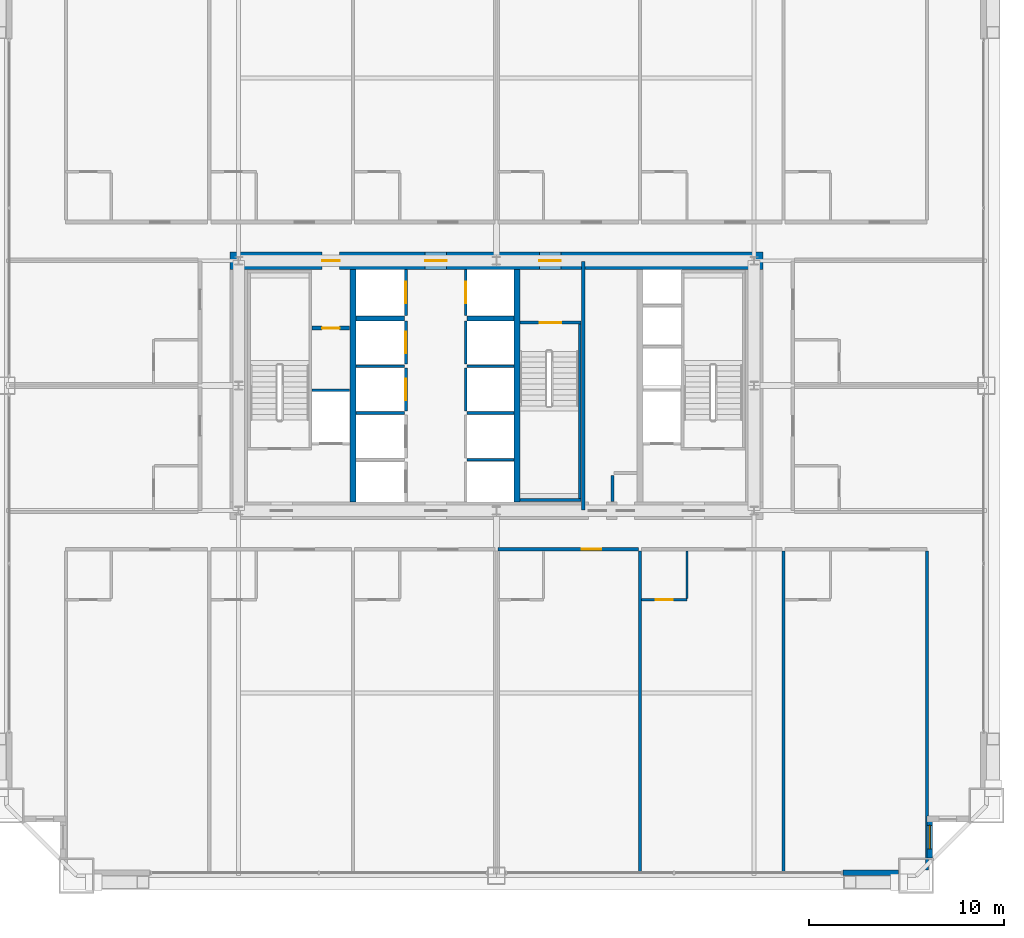
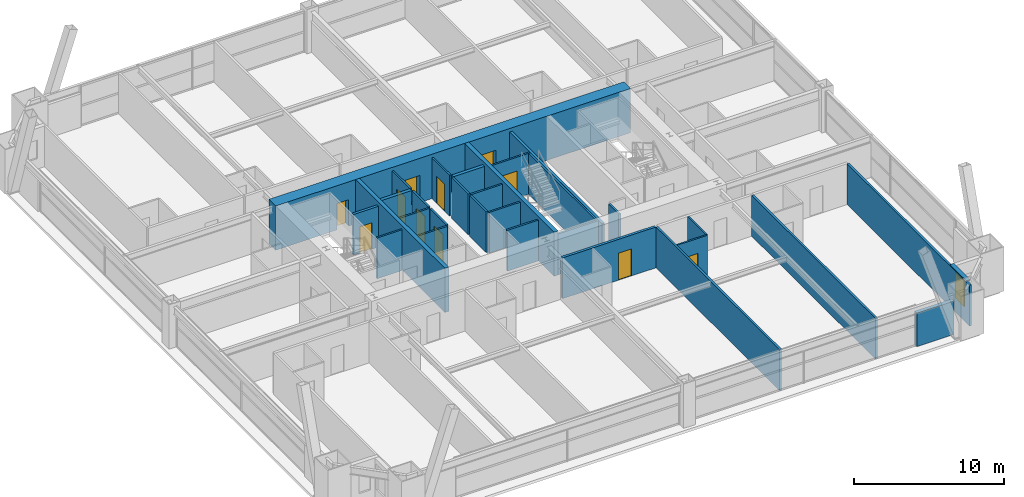
# One storey, part 40 of 43: 31 walls, 11 doors, 1 window, 12 openings.
"""IFC4 building model written with IfcOpenShell, lengths in metres."""

from ifc_helpers import new_model, si_unit, direction, frame, frame_2d, origin, place, context, subcontext, project, spatial, rectangle, extrude, source, transform, mapped, material, layer, layer_set, type_object, element, fill, save


model = new_model("IFC4")

# Units and contexts
model_context = context("Model", 3, precision=1e-05, world=origin(), true_north=direction((0.0, 1.0)))
body_context = subcontext(model_context, "Body", "Model", "MODEL_VIEW")
ifc_project = project(units=[si_unit("LENGTHUNIT", "METRE"), si_unit("AREAUNIT", "SQUARE_METRE"), si_unit("VOLUMEUNIT", "CUBIC_METRE"), si_unit("PLANEANGLEUNIT", "RADIAN"), si_unit("MASSUNIT", "GRAM", prefix="KILO"), si_unit("THERMODYNAMICTEMPERATUREUNIT", "KELVIN"), si_unit("POWERUNIT", "WATT")], contexts=[model_context])

# Site, building, storey
site_placement = place(None, origin())
site = spatial("IfcSite", under=ifc_project, at=site_placement, CompositionType="ELEMENT")
building_placement = place(site_placement, origin())
building = spatial("IfcBuilding", under=site, at=building_placement, Name="Yuzanri Waterfront Tower", CompositionType="ELEMENT")
storey_placement = place(building_placement, frame((0.0, 0.0, 37.800048828125)))
storey = spatial("IfcBuildingStorey", under=building, at=storey_placement, Name="L09", CompositionType="ELEMENT", Elevation=37.800048828125)

# Wall, opening, door
ifc_material_1 = material(Name="Moisture-Resistant Gypsum Stud Wall", Category="gypsum")
ifc_layer_1 = layer(ifc_material_1, 0.1201171875)
ifc_layer_set_1 = layer_set([ifc_layer_1], Name="Moisture-Resistant Gypsum Stud Wall")
wall_type_1 = type_object("IfcWallType", Name="Bathroom and Kitchen Wet Partition 120", PredefinedType="PARTITIONING", material=ifc_layer_set_1)
wall_1_placement = place(storey_placement, frame((44.43310546875, 14.840087890625, 0.0), z_axis=(0.0, 0.0, 1.0), x_axis=(1.0, 0.0, 0.0)))
wall_1 = element("IfcWall", 1, at=wall_1_placement, inside=storey, type_object=wall_type_1, Name="L09 Partition UW-L09-S5-BS", PredefinedType="PARTITIONING", context=body_context, shape_type="SweptSolid", body=[
    extrude(rectangle(XDim=2.329833984375, YDim=0.1201171875, at=frame_2d((1.1650390625, 0.0))), origin(), (0.0, 0.0, 1.0), 3.320068359375),
])
opening_1_placement = place(wall_1_placement, frame((0.739990234375, 0.0, 0.0)))
opening_1 = element("IfcOpeningElement", 2, at=opening_1_placement, cuts=wall_1, Name="Opening ID-0850", PredefinedType="OPENING", context=body_context, shape_type="SweptSolid", body=[
    extrude(rectangle(XDim=0.85009765625, YDim=2.10009765625, at=frame_2d((0.425048828125, 1.050048828125))), frame((0.0, 0.074951171875, 0.0), z_axis=(0.0, -1.0, 0.0), x_axis=(1.0, 0.0, 0.0)), (0.0, 0.0, 1.0), 0.14990234375),
])
ifc_material_2 = material(Name="Moisture-Resistant Lacquered Timber", Category="wood")
door_type_1 = type_object("IfcDoorType", Name="En-Suite Bathroom and Kitchen Swing Door 850x2100", OperationType="NOTDEFINED", PredefinedType="DOOR", material=ifc_material_2)
shared_shape_1 = source(origin(), body_context, "Body", "SweptSolid", [
    extrude(rectangle(XDim=0.85009765625, YDim=2.10009765625, at=frame_2d((0.425048828125, 1.050048828125))), frame((0.0, 0.02490234375, 0.0), z_axis=(0.0, -1.0, 0.0), x_axis=(1.0, 0.0, 0.0)), (0.0, 0.0, 1.0), 0.050048828125),
])
door_1_placement = place(opening_1_placement, origin())
door_1 = element("IfcDoor", 3, at=door_1_placement, inside=storey, type_object=door_type_1, Name="L09 Guest En-Suite Door", OperationType="SINGLE_SWING_LEFT", OverallHeight=2.10009765625, OverallWidth=0.85009765625, PredefinedType="DOOR", context=body_context, shape_type="MappedRepresentation", body=[
    mapped(shared_shape_1, transform((0.0, 0.0, 0.0), scale=1.0)),
])
fill(opening_1, door_1)

# Wall, opening, window
ifc_material_3 = material(Name="Honed Chongqing Dark Basalt Stone", Category="masonry")
ifc_layer_2 = layer(ifc_material_3, 0.300048828125)
ifc_layer_set_2 = layer_set([ifc_layer_2], Name="Honed Chongqing Dark Basalt Stone")
wall_type_2 = type_object("IfcWallType", Name="Bronze Rainscreen Insulated Spandrel Portal Wall 300", PredefinedType="SOLIDWALL", material=ifc_layer_set_2)
wall_2_placement = place(storey_placement, frame((59.199951171875, 1.60009765625, 0.0), z_axis=(0.0, 0.0, 1.0), x_axis=(0.0, 1.0, 0.0)))
wall_2 = element("IfcWall", 4, at=wall_2_placement, inside=storey, type_object=wall_type_2, Name="L09 Notched Corner Masonry Wall SE-Y", PredefinedType="SOLIDWALL", context=body_context, shape_type="SweptSolid", body=[
    extrude(rectangle(XDim=2.14990234375, YDim=0.300048828125, at=frame_2d((1.074951171875, 0.0))), origin(), (0.0, 0.0, 1.0), 3.320068359375),
])
opening_2_placement = place(wall_2_placement, frame((0.47509765625, 0.0, 0.85009765625)))
opening_2 = element("IfcOpeningElement", 5, at=opening_2_placement, cuts=wall_2, Name="Opening WN-02", PredefinedType="OPENING", context=body_context, shape_type="SweptSolid", body=[
    extrude(rectangle(XDim=1.199951171875, YDim=2.10009765625, at=frame_2d((0.60009765625, 1.050048828125))), frame((0.0, 0.1650390625, 0.0), z_axis=(0.0, -1.0, 0.0), x_axis=(1.0, 0.0, 0.0)), (0.0, 0.0, 1.0), 0.329833984375),
])
ifc_material_4 = material(Name="Double-Silver Low-E Insulated Glass", Category="glass")
window_type = type_object("IfcWindowType", Name="Anodized Bronze Notched Corner Deep-Set Slot Window 1200x2100", PartitioningType="SINGLE_PANEL", PredefinedType="WINDOW", material=ifc_material_4)
shared_shape_2 = source(origin(), body_context, "Body", "SweptSolid", [
    extrude(rectangle(XDim=1.199951171875, YDim=2.10009765625, at=frame_2d((0.60009765625, 1.050048828125))), frame((0.0, 0.030029296875, 0.0), z_axis=(0.0, -1.0, 0.0), x_axis=(1.0, 0.0, 0.0)), (0.0, 0.0, 1.0), 0.06005859375),
])
window_placement = place(opening_2_placement, origin())
window = element("IfcWindow", 6, at=window_placement, inside=storey, type_object=window_type, Name="L09 Notched Corner Window SE-Y", OverallHeight=2.10009765625, OverallWidth=1.199951171875, PartitioningType="SINGLE_PANEL", PredefinedType="WINDOW", context=body_context, shape_type="MappedRepresentation", body=[
    mapped(shared_shape_2, transform((0.0, 0.0, 0.0), scale=1.0)),
])
fill(opening_2, window)

# Wall, openings, doors
ifc_material_5 = material(Name="Concrete C60", Category="concrete")
ifc_layer_3 = layer(ifc_material_5, 0.89990234375)
ifc_layer_set_3 = layer_set([ifc_layer_3], Name="Concrete C60")
wall_type_3 = type_object("IfcWallType", Name="Concrete C60 Lower Zone Core Shear Wall 900", PredefinedType="SHEAR", material=ifc_layer_set_3)
wall_3_placement = place(storey_placement, frame((23.35009765625, 32.199951171875, 0.0), z_axis=(0.0, 0.0, 1.0), x_axis=(1.0, 0.0, 0.0)))
wall_3 = element("IfcWall", 7, at=wall_3_placement, inside=storey, type_object=wall_type_3, Name="L09 Core North Shear Wall", PredefinedType="SHEAR", context=body_context, shape_type="SweptSolid", body=[
    extrude(rectangle(XDim=27.2998046875, YDim=0.89990234375, at=frame_2d((13.64990234375, 0.0))), origin(), (0.0, 0.0, 1.0), 3.599853515625),
])
opening_3_placement = place(wall_3_placement, frame((4.719970703125, 0.0, 0.0)))
opening_3 = element("IfcOpeningElement", 8, at=opening_3_placement, cuts=wall_3, Name="Opening FD-0900", PredefinedType="OPENING", context=body_context, shape_type="SweptSolid", body=[
    extrude(rectangle(XDim=0.89990234375, YDim=2.14990234375, at=frame_2d((0.449951171875, 1.074951171875))), frame((0.0, 0.46484375, 0.0), z_axis=(0.0, -1.0, 0.0), x_axis=(1.0, 0.0, 0.0)), (0.0, 0.0, 1.0), 0.9296875),
])
opening_4_placement = place(wall_3_placement, frame((10.0, 0.0, 0.0)))
opening_4 = element("IfcOpeningElement", 9, at=opening_4_placement, cuts=wall_3, Name="Opening FD-1100", PredefinedType="OPENING", context=body_context, shape_type="SweptSolid", body=[
    extrude(rectangle(XDim=1.10009765625, YDim=2.199951171875, at=frame_2d((0.550048828125, 1.10009765625))), frame((0.0, 0.46484375, 0.0), z_axis=(0.0, -1.0, 0.0), x_axis=(1.0, 0.0, 0.0)), (0.0, 0.0, 1.0), 0.9296875),
])
opening_5_placement = place(wall_3_placement, frame((15.85009765625, 0.0, 0.0)))
opening_5 = element("IfcOpeningElement", 10, at=opening_5_placement, cuts=wall_3, Name="Opening FD-1100", PredefinedType="OPENING", context=body_context, shape_type="SweptSolid", body=[
    extrude(rectangle(XDim=1.10009765625, YDim=2.199951171875, at=frame_2d((0.550048828125, 1.10009765625))), frame((0.0, 0.46484375, 0.0), z_axis=(0.0, -1.0, 0.0), x_axis=(1.0, 0.0, 0.0)), (0.0, 0.0, 1.0), 0.9296875),
])
ifc_material_6 = material(Name="Painted Galvanized Fire Steel", Category="steel")
door_type_2 = type_object("IfcDoorType", Name="Smoke-Proof Stair and Lobby Fire Door 1100x2200", OperationType="NOTDEFINED", PredefinedType="DOOR", material=ifc_material_6)
shared_shape_3 = source(origin(), body_context, "Body", "SweptSolid", [
    extrude(rectangle(XDim=1.10009765625, YDim=2.199951171875, at=frame_2d((0.550048828125, 1.10009765625))), frame((0.0, 0.02490234375, 0.0), z_axis=(0.0, -1.0, 0.0), x_axis=(1.0, 0.0, 0.0)), (0.0, 0.0, 1.0), 0.050048828125),
])
door_2_placement = place(opening_4_placement, origin())
door_2 = element("IfcDoor", 11, at=door_2_placement, inside=storey, type_object=door_type_2, Name="L09 Central Lift Lobby North Door", OperationType="SINGLE_SWING_LEFT", OverallHeight=2.199951171875, OverallWidth=1.10009765625, PredefinedType="DOOR", context=body_context, shape_type="MappedRepresentation", body=[
    mapped(shared_shape_3, transform((0.0, 0.0, 0.0), scale=1.0)),
])
fill(opening_4, door_2)
door_3_placement = place(opening_5_placement, origin())
door_3 = element("IfcDoor", 12, at=door_3_placement, inside=storey, type_object=door_type_2, Name="L09 North Stair Lobby Door", OperationType="SINGLE_SWING_RIGHT", OverallHeight=2.199951171875, OverallWidth=1.10009765625, PredefinedType="DOOR", context=body_context, shape_type="MappedRepresentation", body=[
    mapped(shared_shape_3, transform((0.0, 0.0, 0.0), scale=1.0)),
])
fill(opening_5, door_3)
ifc_material_7 = material(Name="Painted Galvanized Fire Steel", Category="steel")
door_type_3 = type_object("IfcDoorType", Name="Riser and Service Room Fire Door 900x2150", OperationType="NOTDEFINED", PredefinedType="DOOR", material=ifc_material_7)
shared_shape_4 = source(origin(), body_context, "Body", "SweptSolid", [
    extrude(rectangle(XDim=0.89990234375, YDim=2.14990234375, at=frame_2d((0.449951171875, 1.074951171875))), frame((0.0, 0.02490234375, 0.0), z_axis=(0.0, -1.0, 0.0), x_axis=(1.0, 0.0, 0.0)), (0.0, 0.0, 1.0), 0.050048828125),
])
door_4_placement = place(opening_3_placement, origin())
door_4 = element("IfcDoor", 13, at=door_4_placement, inside=storey, type_object=door_type_3, Name="L09 Telecom Riser Door", OperationType="SINGLE_SWING_RIGHT", OverallHeight=2.14990234375, OverallWidth=0.89990234375, PredefinedType="DOOR", context=body_context, shape_type="MappedRepresentation", body=[
    mapped(shared_shape_4, transform((0.0, 0.0, 0.0), scale=1.0)),
])
fill(opening_3, door_4)

# Wall, opening, door
ifc_material_8 = material(Name="Concrete C40", Category="concrete")
ifc_layer_4 = layer(ifc_material_8, 0.139892578125)
ifc_layer_set_4 = layer_set([ifc_layer_4], Name="Concrete C40")
wall_type_4 = type_object("IfcWallType", Name="Core Stair Liner and Hoistway Shaft Wall 140", PredefinedType="SOLIDWALL", material=ifc_layer_set_4)
wall_4_placement = place(storey_placement, frame((32.3701171875, 24.5, 0.0), z_axis=(0.0, 0.0, 1.0), x_axis=(0.0, 1.0, 0.0)))
wall_4 = element("IfcWall", 14, at=wall_4_placement, inside=storey, type_object=wall_type_4, Name="L09 Lift PL-03 Front Shaft Wall", PredefinedType="SOLIDWALL", context=body_context, shape_type="SweptSolid", body=[
    extrude(rectangle(XDim=2.199951171875, YDim=0.139892578125, at=frame_2d((1.10009765625, 0.0))), origin(), (0.0, 0.0, 1.0), 3.320068359375),
])
opening_6_placement = place(wall_4_placement, frame((0.550048828125, 0.0, 0.0)))
opening_6 = element("IfcOpeningElement", 15, at=opening_6_placement, cuts=wall_4, Name="Opening LD-PL-03", PredefinedType="OPENING", context=body_context, shape_type="SweptSolid", body=[
    extrude(rectangle(XDim=1.10009765625, YDim=2.199951171875, at=frame_2d((0.550048828125, 1.10009765625))), frame((0.0, 0.0849609375, 0.0), z_axis=(0.0, -1.0, 0.0), x_axis=(1.0, 0.0, 0.0)), (0.0, 0.0, 1.0), 0.169677734375),
])
ifc_material_9 = material(Name="Brushed Bronze and Stainless Steel Cab", Category="steel")
door_type_4 = type_object("IfcDoorType", Name="Center-Parting Bronze Lift Landing Sliding Door 1100x2200", OperationType="NOTDEFINED", PredefinedType="DOOR", material=ifc_material_9)
shared_shape_5 = source(origin(), body_context, "Body", "SweptSolid", [
    extrude(rectangle(XDim=1.10009765625, YDim=2.199951171875, at=frame_2d((0.550048828125, 1.10009765625))), frame((0.0, 0.02490234375, 0.0), z_axis=(0.0, -1.0, 0.0), x_axis=(1.0, 0.0, 0.0)), (0.0, 0.0, 1.0), 0.050048828125),
])
door_5_placement = place(opening_6_placement, origin())
door_5 = element("IfcDoor", 16, at=door_5_placement, inside=storey, type_object=door_type_4, Name="L09 PL-03 Lift Landing Sliding Door", OperationType="SLIDING_TO_LEFT", OverallHeight=2.199951171875, OverallWidth=1.10009765625, PredefinedType="DOOR", context=body_context, shape_type="MappedRepresentation", body=[
    mapped(shared_shape_5, transform((0.0, 0.0, 0.0), scale=1.0)),
])
fill(opening_6, door_5)

wall_5_placement = place(storey_placement, frame((32.3701171875, 26.89990234375, 0.0), z_axis=(0.0, 0.0, 1.0), x_axis=(0.0, 1.0, 0.0)))
wall_5 = element("IfcWall", 17, at=wall_5_placement, inside=storey, type_object=wall_type_4, Name="L09 Lift PL-04 Front Shaft Wall", PredefinedType="SOLIDWALL", context=body_context, shape_type="SweptSolid", body=[
    extrude(rectangle(XDim=2.2001953125, YDim=0.139892578125, at=frame_2d((1.10009765625, 0.0))), origin(), (0.0, 0.0, 1.0), 3.320068359375),
])
opening_7_placement = place(wall_5_placement, frame((0.550048828125, 0.0, 0.0)))
opening_7 = element("IfcOpeningElement", 18, at=opening_7_placement, cuts=wall_5, Name="Opening LD-PL-04", PredefinedType="OPENING", context=body_context, shape_type="SweptSolid", body=[
    extrude(rectangle(XDim=1.10009765625, YDim=2.199951171875, at=frame_2d((0.550048828125, 1.10009765625))), frame((0.0, 0.0849609375, 0.0), z_axis=(0.0, -1.0, 0.0), x_axis=(1.0, 0.0, 0.0)), (0.0, 0.0, 1.0), 0.169677734375),
])
door_6_placement = place(opening_7_placement, origin())
door_6 = element("IfcDoor", 19, at=door_6_placement, inside=storey, type_object=door_type_4, Name="L09 PL-04 Lift Landing Sliding Door", OperationType="SLIDING_TO_RIGHT", OverallHeight=2.199951171875, OverallWidth=1.10009765625, PredefinedType="DOOR", context=body_context, shape_type="MappedRepresentation", body=[
    mapped(shared_shape_5, transform((0.0, 0.0, 0.0), scale=1.0)),
])
fill(opening_7, door_6)

wall_6_placement = place(storey_placement, frame((32.3701171875, 29.39990234375, 0.0), z_axis=(0.0, 0.0, 1.0), x_axis=(0.0, 1.0, 0.0)))
wall_6 = element("IfcWall", 20, at=wall_6_placement, inside=storey, type_object=wall_type_4, Name="L09 Lift SL-01 Front Shaft Wall", PredefinedType="SOLIDWALL", context=body_context, shape_type="SweptSolid", body=[
    extrude(rectangle(XDim=2.340087890625, YDim=0.139892578125, at=frame_2d((1.169921875, 0.0))), origin(), (0.0, 0.0, 1.0), 3.320068359375),
])
opening_8_placement = place(wall_6_placement, frame((0.6201171875, 0.0, 0.0)))
opening_8 = element("IfcOpeningElement", 21, at=opening_8_placement, cuts=wall_6, Name="Opening LD-SL-01", PredefinedType="OPENING", context=body_context, shape_type="SweptSolid", body=[
    extrude(rectangle(XDim=1.10009765625, YDim=2.199951171875, at=frame_2d((0.550048828125, 1.10009765625))), frame((0.0, 0.0849609375, 0.0), z_axis=(0.0, -1.0, 0.0), x_axis=(1.0, 0.0, 0.0)), (0.0, 0.0, 1.0), 0.169677734375),
])
door_7_placement = place(opening_8_placement, origin())
door_7 = element("IfcDoor", 22, at=door_7_placement, inside=storey, type_object=door_type_4, Name="L09 SL-01 Lift Landing Sliding Door", OperationType="SLIDING_TO_LEFT", OverallHeight=2.199951171875, OverallWidth=1.10009765625, PredefinedType="DOOR", context=body_context, shape_type="MappedRepresentation", body=[
    mapped(shared_shape_5, transform((0.0, 0.0, 0.0), scale=1.0)),
])
fill(opening_8, door_7)

wall_7_placement = place(storey_placement, frame((35.429931640625, 29.39990234375, 0.0), z_axis=(0.0, 0.0, 1.0), x_axis=(0.0, 1.0, 0.0)))
wall_7 = element("IfcWall", 23, at=wall_7_placement, inside=storey, type_object=wall_type_4, Name="L09 Lift SL-02 Front Shaft Wall", PredefinedType="SOLIDWALL", context=body_context, shape_type="SweptSolid", body=[
    extrude(rectangle(XDim=2.340087890625, YDim=0.139892578125, at=frame_2d((1.169921875, 0.0))), origin(), (0.0, 0.0, 1.0), 3.320068359375),
])
opening_9_placement = place(wall_7_placement, frame((0.6201171875, 0.0, 0.0)))
opening_9 = element("IfcOpeningElement", 24, at=opening_9_placement, cuts=wall_7, Name="Opening LD-SL-02", PredefinedType="OPENING", context=body_context, shape_type="SweptSolid", body=[
    extrude(rectangle(XDim=1.10009765625, YDim=2.199951171875, at=frame_2d((0.550048828125, 1.10009765625))), frame((0.0, 0.0849609375, 0.0), z_axis=(0.0, -1.0, 0.0), x_axis=(1.0, 0.0, 0.0)), (0.0, 0.0, 1.0), 0.169677734375),
])
door_8_placement = place(opening_9_placement, origin())
door_8 = element("IfcDoor", 25, at=door_8_placement, inside=storey, type_object=door_type_4, Name="L09 SL-02 Lift Landing Sliding Door", OperationType="SLIDING_TO_RIGHT", OverallHeight=2.199951171875, OverallWidth=1.10009765625, PredefinedType="DOOR", context=body_context, shape_type="MappedRepresentation", body=[
    mapped(shared_shape_5, transform((0.0, 0.0, 0.0), scale=1.0)),
])
fill(opening_9, door_8)

wall_8_placement = place(storey_placement, frame((38.199951171875, 29.030029296875, 0.0), z_axis=(0.0, 0.0, 1.0), x_axis=(1.0, 0.0, 0.0)))
wall_8 = element("IfcWall", 26, at=wall_8_placement, inside=storey, type_object=wall_type_4, Name="L09 Shaft Wall STW-L09-ST-03-N", PredefinedType="SOLIDWALL", context=body_context, shape_type="SweptSolid", body=[
    extrude(rectangle(XDim=3.14013671875, YDim=0.139892578125, at=frame_2d((1.570068359375, 0.0))), origin(), (0.0, 0.0, 1.0), 3.320068359375),
])
opening_10_placement = place(wall_8_placement, frame((1.02001953125, 0.0, 0.0)))
opening_10 = element("IfcOpeningElement", 27, at=opening_10_placement, cuts=wall_8, Name="Opening FD-1100", PredefinedType="OPENING", context=body_context, shape_type="SweptSolid", body=[
    extrude(rectangle(XDim=1.10009765625, YDim=2.199951171875, at=frame_2d((0.550048828125, 1.10009765625))), frame((0.0, 0.0849609375, 0.0), z_axis=(0.0, -1.0, 0.0), x_axis=(1.0, 0.0, 0.0)), (0.0, 0.0, 1.0), 0.169677734375),
])
door_9_placement = place(opening_10_placement, origin())
door_9 = element("IfcDoor", 28, at=door_9_placement, inside=storey, type_object=door_type_2, Name="L09 Stair ST-03 Fire Door", OperationType="SINGLE_SWING_RIGHT", OverallHeight=2.199951171875, OverallWidth=1.10009765625, PredefinedType="DOOR", context=body_context, shape_type="MappedRepresentation", body=[
    mapped(shared_shape_3, transform((0.0, 0.0, 0.0), scale=1.0)),
])
fill(opening_10, door_9)

ifc_material_10 = material(Name="Autoclaved Aerated Concrete Blockwork", Category="masonry")
ifc_layer_5 = layer(ifc_material_10, 0.199951171875)
ifc_layer_set_5 = layer_set([ifc_layer_5], Name="Autoclaved Aerated Concrete Blockwork")
wall_type_5 = type_object("IfcWallType", Name="Corridor and Unit Party Fire Wall 200", PredefinedType="PARTITIONING", material=ifc_layer_set_5)
wall_9_placement = place(storey_placement, frame((27.56005859375, 28.75, 0.0), z_axis=(0.0, 0.0, 1.0), x_axis=(1.0, 0.0, 0.0)))
wall_9 = element("IfcWall", 29, at=wall_9_placement, inside=storey, type_object=wall_type_5, Name="L09 Partition CRW-L09-ERTR", PredefinedType="PARTITIONING", context=body_context, shape_type="SweptSolid", body=[
    extrude(rectangle(XDim=1.919921875, YDim=0.199951171875, at=frame_2d((0.9599609375, 0.0))), origin(), (0.0, 0.0, 1.0), 3.320068359375),
])
opening_11_placement = place(wall_9_placement, frame((0.510009765625, 0.0, 0.0)))
opening_11 = element("IfcOpeningElement", 30, at=opening_11_placement, cuts=wall_9, Name="Opening FD-0900", PredefinedType="OPENING", context=body_context, shape_type="SweptSolid", body=[
    extrude(rectangle(XDim=0.89990234375, YDim=2.14990234375, at=frame_2d((0.449951171875, 1.074951171875))), frame((0.0, 0.11474609375, 0.0), z_axis=(0.0, -1.0, 0.0), x_axis=(1.0, 0.0, 0.0)), (0.0, 0.0, 1.0), 0.229736328125),
])
door_10_placement = place(opening_11_placement, origin())
door_10 = element("IfcDoor", 31, at=door_10_placement, inside=storey, type_object=door_type_3, Name="L09 Electrical Riser Door", OperationType="SINGLE_SWING_LEFT", OverallHeight=2.14990234375, OverallWidth=0.89990234375, PredefinedType="DOOR", context=body_context, shape_type="MappedRepresentation", body=[
    mapped(shared_shape_4, transform((0.0, 0.0, 0.0), scale=1.0)),
])
fill(opening_11, door_10)

wall_10_placement = place(storey_placement, frame((37.080078125, 17.419921875, 0.0), z_axis=(0.0, 0.0, 1.0), x_axis=(1.0, 0.0, 0.0)))
wall_10 = element("IfcWall", 32, at=wall_10_placement, inside=storey, type_object=wall_type_5, Name="L09 Partition UW-L09-S4-CN", PredefinedType="PARTITIONING", context=body_context, shape_type="SweptSolid", body=[
    extrude(rectangle(XDim=7.19287109375, YDim=0.199951171875, at=frame_2d((3.596435546875, 0.0))), origin(), (0.0, 0.0, 1.0), 3.320068359375),
])
opening_12_placement = place(wall_10_placement, frame((4.302001953125, 0.0, 0.0)))
opening_12 = element("IfcOpeningElement", 33, at=opening_12_placement, cuts=wall_10, Name="Opening FD-1000", PredefinedType="OPENING", context=body_context, shape_type="SweptSolid", body=[
    extrude(rectangle(XDim=1.0, YDim=2.199951171875, at=frame_2d((0.5, 1.10009765625))), frame((0.0, 0.11474609375, 0.0), z_axis=(0.0, -1.0, 0.0), x_axis=(1.0, 0.0, 0.0)), (0.0, 0.0, 1.0), 0.229736328125),
])
ifc_material_11 = material(Name="Engineered Oak Fire-Rated Timber", Category="wood")
door_type_5 = type_object("IfcDoorType", Name="Guestroom and Apartment Entrance Fire Door 1000x2200", OperationType="NOTDEFINED", PredefinedType="DOOR", material=ifc_material_11)
shared_shape_6 = source(origin(), body_context, "Body", "SweptSolid", [
    extrude(rectangle(XDim=1.0, YDim=2.199951171875, at=frame_2d((0.5, 1.10009765625))), frame((0.0, 0.02490234375, 0.0), z_axis=(0.0, -1.0, 0.0), x_axis=(1.0, 0.0, 0.0)), (0.0, 0.0, 1.0), 0.050048828125),
])
door_11_placement = place(opening_12_placement, origin())
door_11 = element("IfcDoor", 34, at=door_11_placement, inside=storey, type_object=door_type_5, Name="L09 Premier King Junior Suite Entrance Door", OperationType="SINGLE_SWING_RIGHT", OverallHeight=2.199951171875, OverallWidth=1.0, PredefinedType="DOOR", context=body_context, shape_type="MappedRepresentation", body=[
    mapped(shared_shape_6, transform((0.0, 0.0, 0.0), scale=1.0)),
])
fill(opening_12, door_11)

# Walls
ifc_material_12 = material(Name="Concrete C50", Category="concrete")
ifc_layer_6 = layer(ifc_material_12, 0.300048828125)
ifc_layer_set_6 = layer_set([ifc_layer_6], Name="Concrete C50")
wall_type_6 = type_object("IfcWallType", Name="Concrete C50 Internal Core Shaft Structural Wall 300", PredefinedType="SOLIDWALL", material=ifc_layer_set_6)
shared_shape_7 = source(origin(), body_context, "Body", "SweptSolid", [
    extrude(rectangle(XDim=11.89990234375, YDim=0.300048828125, at=frame_2d((5.949951171875, 0.0))), origin(), (0.0, 0.0, 1.0), 3.599853515625),
])
for number, where, z_axis, x_axis, name in (
    (35, (29.64990234375, 19.85009765625, 0.0), (0.0, 0.0, 1.0), (0.0, 1.0, 0.0), "L09 Core Internal Structural Web Wall 1"),
    (36, (38.050048828125, 19.85009765625, 0.0), (0.0, 0.0, 1.0), (0.0, 1.0, 0.0), "L09 Core Internal Structural Web Wall 2"),
):
    element("IfcWall", number, at=place(storey_placement, frame(where, z_axis=z_axis, x_axis=x_axis)), inside=storey, type_object=wall_type_6, Name=name, PredefinedType="SOLIDWALL", context=body_context, shape_type="MappedRepresentation", body=[
        mapped(shared_shape_7, transform((0.0, 0.0, 0.0), scale=1.0)),
    ])
shared_shape_8 = source(origin(), body_context, "Body", "SweptSolid", [
    extrude(rectangle(XDim=2.85009765625, YDim=0.300048828125, at=frame_2d((1.425048828125, 0.0))), origin(), (0.0, 0.0, 1.0), 2.71484375),
])
wall_11_placement = place(storey_placement, frame((54.75, 0.85009765625, 0.0), z_axis=(0.0, 0.0, 1.0), x_axis=(1.0, 0.0, 0.0)))
element("IfcWall", 37, at=wall_11_placement, inside=storey, type_object=wall_type_2, Name="L09 S Right Braced Masonry Shoulder", PredefinedType="SOLIDWALL", context=body_context, shape_type="MappedRepresentation", body=[
    mapped(shared_shape_8, transform((0.0, 0.0, 0.0), scale=1.0)),
])
shared_shape_9 = source(origin(), body_context, "Body", "SweptSolid", [
    extrude(rectangle(XDim=1.919921875, YDim=0.139892578125, at=frame_2d((0.9599609375, 0.0))), origin(), (0.0, 0.0, 1.0), 3.320068359375),
])
wall_12_placement = place(storey_placement, frame((27.56005859375, 25.570068359375, 0.0), z_axis=(0.0, 0.0, 1.0), x_axis=(1.0, 0.0, 0.0)))
element("IfcWall", 38, at=wall_12_placement, inside=storey, type_object=wall_type_4, Name="L09 Lift FL-01 Back Shaft Wall", PredefinedType="SOLIDWALL", context=body_context, shape_type="MappedRepresentation", body=[
    mapped(shared_shape_9, transform((0.0, 0.0, 0.0), scale=1.0)),
])
shared_shape_10 = source(origin(), body_context, "Body", "SweptSolid", [
    extrude(rectangle(XDim=2.5, YDim=0.139892578125, at=frame_2d((1.25, 0.0))), origin(), (0.0, 0.0, 1.0), 3.320068359375),
])
for number, where, z_axis, x_axis, name in (
    (39, (29.800048828125, 24.39990234375, 0.0), (0.0, 0.0, 1.0), (1.0, 0.0, 0.0), "L09 Lift PL-02 Divider Wall"),
    (40, (29.800048828125, 26.800048828125, 0.0), (0.0, 0.0, 1.0), (1.0, 0.0, 0.0), "L09 Lift PL-03 Divider Wall"),
):
    element("IfcWall", number, at=place(storey_placement, frame(where, z_axis=z_axis, x_axis=x_axis)), inside=storey, type_object=wall_type_4, Name=name, PredefinedType="SOLIDWALL", context=body_context, shape_type="MappedRepresentation", body=[
        mapped(shared_shape_10, transform((0.0, 0.0, 0.0), scale=1.0)),
    ])
ifc_material_13 = material(Name="Concrete C40", Category="concrete")
ifc_layer_7 = layer(ifc_material_13, 0.25)
ifc_layer_set_7 = layer_set([ifc_layer_7], Name="Concrete C40")
wall_type_7 = type_object("IfcWallType", Name="Smoke-Proof Stair and Lift Shaft Wall 250", PredefinedType="SOLIDWALL", material=ifc_layer_set_7)
shared_shape_11 = source(origin(), body_context, "Body", "SweptSolid", [
    extrude(rectangle(XDim=2.5, YDim=0.25, at=frame_2d((1.25, 0.0))), origin(), (0.0, 0.0, 1.0), 3.320068359375),
])
wall_13_placement = place(storey_placement, frame((29.800048828125, 29.25, 0.0), z_axis=(0.0, 0.0, 1.0), x_axis=(1.0, 0.0, 0.0)))
element("IfcWall", 41, at=wall_13_placement, inside=storey, type_object=wall_type_7, Name="L09 Lift SL-01 South Shaft Wall", PredefinedType="SOLIDWALL", context=body_context, shape_type="MappedRepresentation", body=[
    mapped(shared_shape_11, transform((0.0, 0.0, 0.0), scale=1.0)),
])
shared_shape_12 = source(origin(), body_context, "Body", "SweptSolid", [
    extrude(rectangle(XDim=2.39990234375, YDim=0.139892578125, at=frame_2d((1.199951171875, 0.0))), origin(), (0.0, 0.0, 1.0), 3.320068359375),
])
for number, where, z_axis, x_axis, name in (
    (42, (35.5, 22.0, 0.0), (0.0, 0.0, 1.0), (1.0, 0.0, 0.0), "L09 Lift PL-05 Divider Wall"),
    (43, (35.5, 24.39990234375, 0.0), (0.0, 0.0, 1.0), (1.0, 0.0, 0.0), "L09 Lift PL-06 Divider Wall"),
    (44, (35.5, 26.800048828125, 0.0), (0.0, 0.0, 1.0), (1.0, 0.0, 0.0), "L09 Lift PL-07 Divider Wall"),
):
    element("IfcWall", number, at=place(storey_placement, frame(where, z_axis=z_axis, x_axis=x_axis)), inside=storey, type_object=wall_type_4, Name=name, PredefinedType="SOLIDWALL", context=body_context, shape_type="MappedRepresentation", body=[
        mapped(shared_shape_12, transform((0.0, 0.0, 0.0), scale=1.0)),
    ])
shared_shape_13 = source(origin(), body_context, "Body", "SweptSolid", [
    extrude(rectangle(XDim=2.199951171875, YDim=0.139892578125, at=frame_2d((1.10009765625, 0.0))), origin(), (0.0, 0.0, 1.0), 3.320068359375),
])
wall_14_placement = place(storey_placement, frame((35.429931640625, 24.5, 0.0), z_axis=(0.0, 0.0, 1.0), x_axis=(0.0, 1.0, 0.0)))
element("IfcWall", 45, at=wall_14_placement, inside=storey, type_object=wall_type_4, Name="L09 Lift PL-07 Front Shaft Wall", PredefinedType="SOLIDWALL", context=body_context, shape_type="MappedRepresentation", body=[
    mapped(shared_shape_13, transform((0.0, 0.0, 0.0), scale=1.0)),
])
shared_shape_14 = source(origin(), body_context, "Body", "SweptSolid", [
    extrude(rectangle(XDim=2.2001953125, YDim=0.139892578125, at=frame_2d((1.10009765625, 0.0))), origin(), (0.0, 0.0, 1.0), 3.320068359375),
])
wall_15_placement = place(storey_placement, frame((35.429931640625, 26.89990234375, 0.0), z_axis=(0.0, 0.0, 1.0), x_axis=(0.0, 1.0, 0.0)))
element("IfcWall", 46, at=wall_15_placement, inside=storey, type_object=wall_type_4, Name="L09 Lift PL-08 Front Shaft Wall", PredefinedType="SOLIDWALL", context=body_context, shape_type="MappedRepresentation", body=[
    mapped(shared_shape_14, transform((0.0, 0.0, 0.0), scale=1.0)),
])
shared_shape_15 = source(origin(), body_context, "Body", "SweptSolid", [
    extrude(rectangle(XDim=2.39990234375, YDim=0.25, at=frame_2d((1.199951171875, 0.0))), origin(), (0.0, 0.0, 1.0), 3.320068359375),
])
wall_16_placement = place(storey_placement, frame((35.5, 29.25, 0.0), z_axis=(0.0, 0.0, 1.0), x_axis=(1.0, 0.0, 0.0)))
element("IfcWall", 47, at=wall_16_placement, inside=storey, type_object=wall_type_7, Name="L09 Lift SL-02 South Shaft Wall", PredefinedType="SOLIDWALL", context=body_context, shape_type="MappedRepresentation", body=[
    mapped(shared_shape_15, transform((0.0, 0.0, 0.0), scale=1.0)),
])
shared_shape_16 = source(origin(), body_context, "Body", "SweptSolid", [
    extrude(rectangle(XDim=3.14013671875, YDim=0.139892578125, at=frame_2d((1.570068359375, 0.0))), origin(), (0.0, 0.0, 1.0), 3.320068359375),
])
wall_17_placement = place(storey_placement, frame((38.199951171875, 19.949951171875, 0.0), z_axis=(0.0, 0.0, 1.0), x_axis=(1.0, 0.0, 0.0)))
element("IfcWall", 48, at=wall_17_placement, inside=storey, type_object=wall_type_4, Name="L09 Stair ST-03 South Shaft Wall", PredefinedType="SOLIDWALL", context=body_context, shape_type="MappedRepresentation", body=[
    mapped(shared_shape_16, transform((0.0, 0.0, 0.0), scale=1.0)),
])
shared_shape_17 = source(origin(), body_context, "Body", "SweptSolid", [
    extrude(rectangle(XDim=8.93994140625, YDim=0.139892578125, at=frame_2d((4.469970703125, 0.0))), origin(), (0.0, 0.0, 1.0), 3.320068359375),
])
wall_18_placement = place(storey_placement, frame((41.27001953125, 20.02001953125, 0.0), z_axis=(0.0, 0.0, 1.0), x_axis=(0.0, 1.0, 0.0)))
element("IfcWall", 49, at=wall_18_placement, inside=storey, type_object=wall_type_4, Name="L09 Stair ST-03 East Shaft Wall", PredefinedType="SOLIDWALL", context=body_context, shape_type="MappedRepresentation", body=[
    mapped(shared_shape_17, transform((0.0, 0.0, 0.0), scale=1.0)),
])
ifc_material_14 = material(Name="Gypsum Fireboard Acoustic Stud Wall", Category="gypsum")
ifc_layer_8 = layer(ifc_material_14, 0.159912109375)
ifc_layer_set_8 = layer_set([ifc_layer_8], Name="Gypsum Fireboard Acoustic Stud Wall")
wall_type_8 = type_object("IfcWallType", Name="Acoustic Suite Demising Partition 160", PredefinedType="PARTITIONING", material=ifc_layer_set_8)
shared_shape_18 = source(origin(), body_context, "Body", "SweptSolid", [
    extrude(rectangle(XDim=1.33984375, YDim=0.159912109375, at=frame_2d((0.669921875, 0.0))), origin(), (0.0, 0.0, 1.0), 3.320068359375),
])
wall_19_placement = place(storey_placement, frame((42.949951171875, 19.860107421875, 0.0), z_axis=(0.0, 0.0, 1.0), x_axis=(0.0, 1.0, 0.0)))
element("IfcWall", 50, at=wall_19_placement, inside=storey, type_object=wall_type_8, Name="L09 East Wet Riser West Wall", PredefinedType="PARTITIONING", context=body_context, shape_type="MappedRepresentation", body=[
    mapped(shared_shape_18, transform((0.0, 0.0, 0.0), scale=1.0)),
])
shared_shape_19 = source(origin(), body_context, "Body", "SweptSolid", [
    extrude(rectangle(XDim=12.719970703125, YDim=0.199951171875, at=frame_2d((6.35986328125, 0.0))), origin(), (0.0, 0.0, 1.0), 3.320068359375),
])
wall_20_placement = place(storey_placement, frame((41.449951171875, 19.43994140625, 0.0), z_axis=(0.0, 0.0, 1.0), x_axis=(0.0, 1.0, 0.0)))
element("IfcWall", 51, at=wall_20_placement, inside=storey, type_object=wall_type_5, Name="L09 Core BOH West Wall 1", PredefinedType="PARTITIONING", context=body_context, shape_type="MappedRepresentation", body=[
    mapped(shared_shape_19, transform((0.0, 0.0, 0.0), scale=1.0)),
])
shared_shape_20 = source(origin(), body_context, "Body", "SweptSolid", [
    extrude(rectangle(XDim=16.469970703125, YDim=0.159912109375, at=frame_2d((8.23486328125, 0.0))), origin(), (0.0, 0.0, 1.0), 3.320068359375),
])
for number, where, z_axis, x_axis, name in (
    (52, (44.35302734375, 0.85009765625, 0.0), (0.0, 0.0, 1.0), (0.0, 1.0, 0.0), "L09-S4 Party Wall"),
    (53, (51.70703125, 0.85009765625, 0.0), (0.0, 0.0, 1.0), (0.0, 1.0, 0.0), "L09-S5 Party Wall"),
):
    element("IfcWall", number, at=place(storey_placement, frame(where, z_axis=z_axis, x_axis=x_axis)), inside=storey, type_object=wall_type_8, Name=name, PredefinedType="PARTITIONING", context=body_context, shape_type="MappedRepresentation", body=[
        mapped(shared_shape_20, transform((0.0, 0.0, 0.0), scale=1.0)),
    ])
shared_shape_21 = source(origin(), body_context, "Body", "SweptSolid", [
    extrude(rectangle(XDim=2.420166015625, YDim=0.1201171875, at=frame_2d((1.2099609375, 0.0))), origin(), (0.0, 0.0, 1.0), 3.320068359375),
])
wall_21_placement = place(storey_placement, frame((46.762939453125, 14.89990234375, 0.0), z_axis=(0.0, 0.0, 1.0), x_axis=(0.0, 1.0, 0.0)))
element("IfcWall", 54, at=wall_21_placement, inside=storey, type_object=wall_type_1, Name="L09-S5 En-Suite Side Wall", PredefinedType="PARTITIONING", context=body_context, shape_type="MappedRepresentation", body=[
    mapped(shared_shape_21, transform((0.0, 0.0, 0.0), scale=1.0)),
])
shared_shape_22 = source(origin(), body_context, "Body", "SweptSolid", [
    extrude(rectangle(XDim=16.320068359375, YDim=0.159912109375, at=frame_2d((8.16015625, 0.0))), origin(), (0.0, 0.0, 1.0), 3.320068359375),
])
wall_22_placement = place(storey_placement, frame((59.050048828125, 1.0, 0.0), z_axis=(0.0, 0.0, 1.0), x_axis=(0.0, 1.0, 0.0)))
element("IfcWall", 55, at=wall_22_placement, inside=storey, type_object=wall_type_8, Name="L09 South Band East End Wall", PredefinedType="PARTITIONING", context=body_context, shape_type="MappedRepresentation", body=[
    mapped(shared_shape_22, transform((0.0, 0.0, 0.0), scale=1.0)),
])

save(model, "model.ifc")
